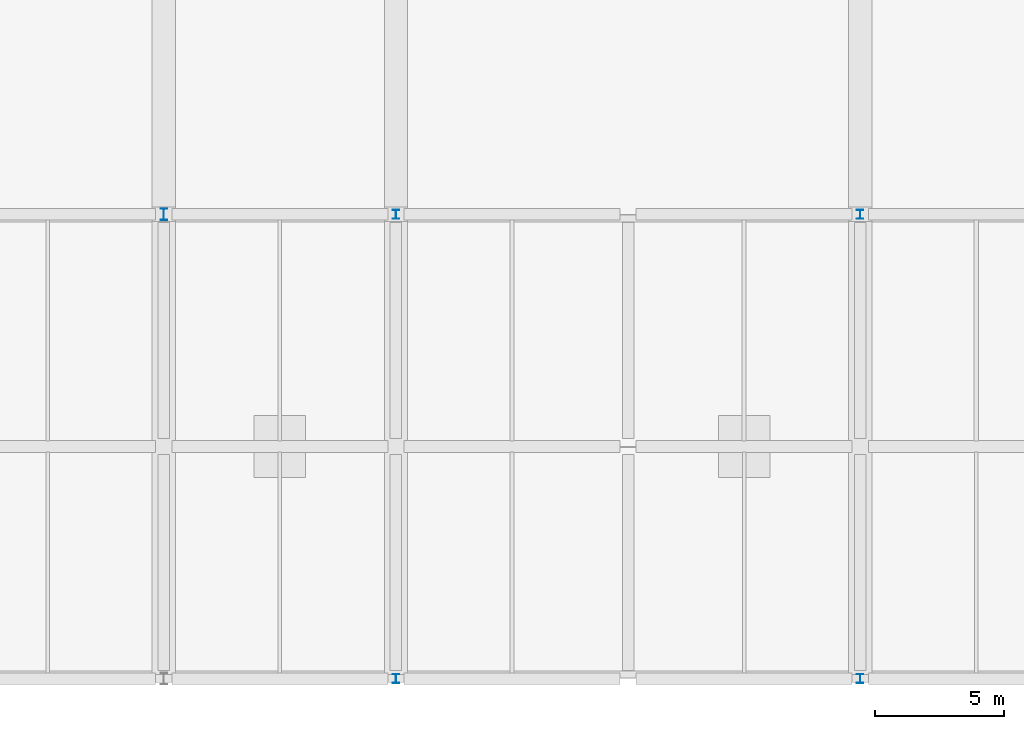
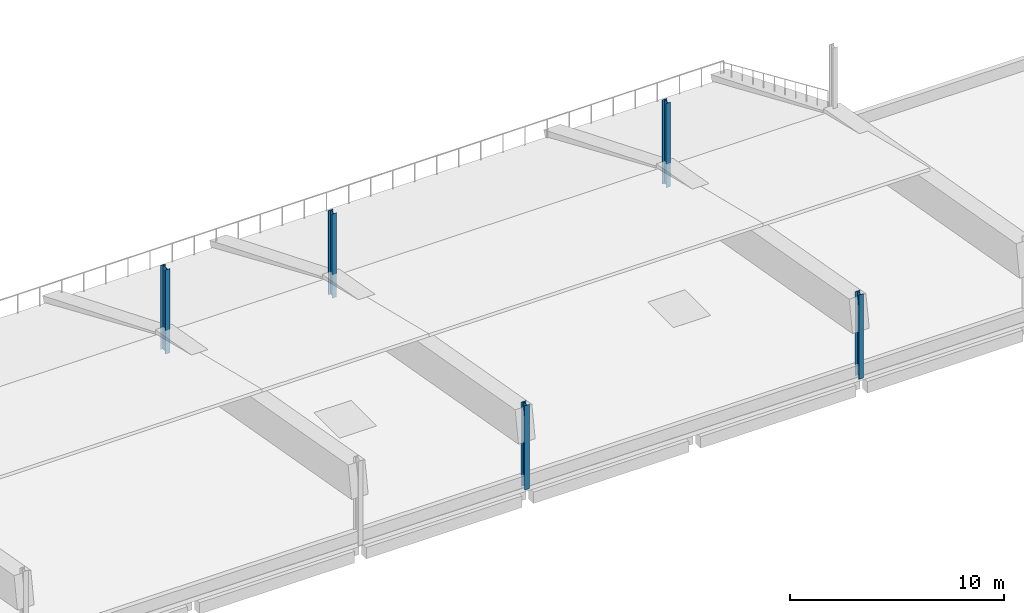
# One storey, part 5 of 66: 5 columns.
"""IFC4 building model written with IfcOpenShell, lengths in metres."""

import ifcopenshell
import ifcopenshell.guid

model = None  # the IFC model being written
_history = None  # IfcOwnerHistory: only IFC2X3 demands one
_inside = {}  # id of a spatial element -> (the spatial element, [elements in it])
_under = {}  # id of a project, library or spatial element -> (it, [spatial elements below it])
_declared = {}  # id of a project -> (the project, [libraries it declares])
_typed = {}  # id of a type object -> (the type object, [elements of that type])
_made_of = {}  # id of a material, layer set ... -> (it, [elements and type objects made of it])


def new_model(schema):
    """Start an empty IFC model of exactly this schema.

    Asked for "IFC4X3", IfcOpenShell would pick the latest addendum, in which some entities
    have other attributes; the version numbers below select the first issue.
    IFC2X3 requires an IfcOwnerHistory on every rooted entity: one is made here for all.
    """
    global model, _history
    if schema == "IFC4X3":
        model = ifcopenshell.file(schema_version=(4, 3, 0, 0))
    else:
        model = ifcopenshell.file(schema=schema)
    _inside.clear()
    _under.clear()
    _declared.clear()
    _typed.clear()
    _made_of.clear()
    _history = None
    if model.schema == "IFC2X3":
        org = make("IfcOrganization", Name="unknown")
        user = make(
            "IfcPersonAndOrganization",
            ThePerson=make("IfcPerson", FamilyName="unknown"),
            TheOrganization=org,
        )
        app = make(
            "IfcApplication",
            ApplicationDeveloper=org,
            Version="unknown",
            ApplicationFullName="unknown",
            ApplicationIdentifier="unknown",
        )
        _history = make(
            "IfcOwnerHistory",
            OwningUser=user,
            OwningApplication=app,
            ChangeAction="ADDED",
            CreationDate=0,
        )
    return model


def make(cls, **values):
    """One entity of the class cls with the attributes given. An attribute that is None is left unset."""
    return model.create_entity(
        cls, **{name: value for name, value in values.items() if value is not None}
    )


def rooted(cls, **values):
    """An entity with a GlobalId (a new one), such as an element, a storey or a relation."""
    return make(cls, GlobalId=ifcopenshell.guid.new(), OwnerHistory=_history, **values)


def si_unit(unit_type, name, prefix=None):
    """IfcSIUnit, for example si_unit("LENGTHUNIT", "METRE", prefix="MILLI")."""
    return make("IfcSIUnit", UnitType=unit_type, Prefix=prefix, Name=name)


def assignment(units):
    """IfcUnitAssignment: the units of a project."""
    return None if units is None else make("IfcUnitAssignment", Units=units)


def point(xyz):
    """IfcCartesianPoint."""
    return None if xyz is None else make("IfcCartesianPoint", Coordinates=xyz)


def direction(xyz):
    """IfcDirection."""
    return None if xyz is None else make("IfcDirection", DirectionRatios=xyz)


def frame(location, z_axis=None, x_axis=None):
    """IfcAxis2Placement3D, a coordinate frame: its origin and axes. An axis left out is left unset."""
    return make(
        "IfcAxis2Placement3D",
        Location=point(location),
        Axis=direction(z_axis),
        RefDirection=direction(x_axis),
    )


def frame_2d(location, x_axis=None):
    """IfcAxis2Placement2D, a coordinate frame in the plane: its origin and x axis."""
    return make(
        "IfcAxis2Placement2D", Location=point(location), RefDirection=direction(x_axis)
    )


def origin():
    """The frame at (0, 0, 0) with its axes left unset."""
    return frame((0.0, 0.0, 0.0))


def origin_2d():
    """The frame at (0, 0) in the plane with its x axis left unset."""
    return frame_2d((0.0, 0.0))


def place(relative_to, where):
    """IfcLocalPlacement: puts the frame where relative to a parent placement (None: the world)."""
    return make(
        "IfcLocalPlacement", PlacementRelTo=relative_to, RelativePlacement=where
    )


def context(
    kind, dimensions, precision=None, world=None, true_north=None, identifier=None
):
    """IfcGeometricRepresentationContext, for example the 3D "Model" context."""
    return make(
        "IfcGeometricRepresentationContext",
        ContextIdentifier=identifier,
        ContextType=kind,
        CoordinateSpaceDimension=dimensions,
        Precision=precision,
        WorldCoordinateSystem=world,
        TrueNorth=true_north,
    )


def subcontext(parent, identifier, kind, view, scale=None):
    """IfcGeometricRepresentationSubContext, for example "Body" below "Model"."""
    return make(
        "IfcGeometricRepresentationSubContext",
        ContextIdentifier=identifier,
        ContextType=kind,
        ParentContext=parent,
        TargetScale=scale,
        TargetView=view,
    )


def project(units=None, contexts=None):
    """IfcProject with its units and contexts."""
    return rooted(
        "IfcProject",
        Name="project",
        RepresentationContexts=contexts,
        UnitsInContext=assignment(units),
    )


def spatial(cls, under=None, at=None, **own):
    """A site, building, storey or space (cls), placed at a placement, below another one or the project."""
    s = rooted(cls, ObjectPlacement=at, **own)
    if under is not None:
        _under.setdefault(under.id(), (under, []))[1].append(s)
    return s


def profile(cls, at=None, kind="AREA", **sizes):
    """A parametric profile (cls). Its sizes go by their IFC names, for example OverallWidth=200.0."""
    return make(cls, ProfileType=kind, Position=at, **sizes)


def i_section(**sizes):
    """IfcIShapeProfileDef."""
    return profile("IfcIShapeProfileDef", **sizes)


def extrude(swept, where, along, depth):
    """IfcExtrudedAreaSolid: the profile swept, set in the frame where, extruded along a direction by depth."""
    return make(
        "IfcExtrudedAreaSolid",
        SweptArea=swept,
        Position=where,
        ExtrudedDirection=direction(along),
        Depth=depth,
    )


def shape(context_of_items, identifier, shape_type, items):
    """IfcShapeRepresentation: the items that make up one representation, for example the "Body"."""
    return make(
        "IfcShapeRepresentation",
        ContextOfItems=context_of_items,
        RepresentationIdentifier=identifier,
        RepresentationType=shape_type,
        Items=items,
    )


def material(Name=None, Category=None):
    """IfcMaterial."""
    return make("IfcMaterial", Name=Name, Category=Category)


def material_profile(
    of_material, cross_section, Name=None, Category=None, Priority=None
):
    """IfcMaterialProfile: a cross section and its material."""
    return make(
        "IfcMaterialProfile",
        Name=Name,
        Material=of_material,
        Profile=cross_section,
        Priority=Priority,
        Category=Category,
    )


def profile_set(profiles, Name=None, composite=None):
    """IfcMaterialProfileSet."""
    return make(
        "IfcMaterialProfileSet",
        Name=Name,
        MaterialProfiles=profiles,
        CompositeProfile=composite,
    )


def made_of(thing, what):
    """Note that an element or type object is made of a material, layer set ...; save() writes the relation."""
    if what is not None:
        _made_of.setdefault(what.id(), (what, []))[1].append(thing)
    return thing


def type_object(cls, material=None, **own):
    """A type object (cls), such as IfcWallType, which elements share."""
    return made_of(rooted(cls, **own), material)


def element(
    cls,
    number,
    at=None,
    inside=None,
    cuts=None,
    type_object=None,
    material=None,
    context=None,
    identifier="Body",
    shape_type=None,
    held_by="IfcProductDefinitionShape",
    body=None,
    shapes=None,
    **own,
):
    """One element of the class cls, such as IfcWall. Its Tag is "e" and its number.

    at: its placement. inside: the storey or other place that contains it. cuts: it is an
    opening in that element (IfcRelVoidsElement). A single representation is given by context,
    identifier, shape_type and body (its items); several are given by shapes. held_by: the class
    of the entity that holds the representations. save() writes the other relations.
    """
    e = rooted(cls, Tag="e%d" % number, ObjectPlacement=at, **own)
    if body is not None:
        shapes = [shape(context, identifier, shape_type, body)]
    if shapes is not None:
        e.Representation = make(held_by, Representations=shapes)
    if inside is not None:
        _inside.setdefault(inside.id(), (inside, []))[1].append(e)
    if cuts is not None:
        rooted(
            "IfcRelVoidsElement", RelatingBuildingElement=cuts, RelatedOpeningElement=e
        )
    if type_object is not None:
        _typed.setdefault(type_object.id(), (type_object, []))[1].append(e)
    return made_of(e, material)


def aggregate(whole, parts):
    """IfcRelAggregates: a whole, such as a stair, and the parts it consists of."""
    return rooted("IfcRelAggregates", RelatingObject=whole, RelatedObjects=parts)


def save(model, path):
    """Write the relations noted so far, then the file.

    IfcRelAggregates (storeys below a building ...), IfcRelContainedInSpatialStructure (elements
    in a storey), IfcRelDefinesByType, IfcRelAssociatesMaterial and IfcRelDeclares: one each for
    every whole, place, type object, material and project.
    """
    for whole, parts in _under.values():
        aggregate(whole, parts)
    for where, things in _inside.values():
        rooted(
            "IfcRelContainedInSpatialStructure",
            RelatedElements=things,
            RelatingStructure=where,
        )
    for kind, things in _typed.values():
        rooted("IfcRelDefinesByType", RelatedObjects=things, RelatingType=kind)
    for what, things in _made_of.values():
        rooted("IfcRelAssociatesMaterial", RelatedObjects=things, RelatingMaterial=what)
    for by, libraries in _declared.values():
        rooted("IfcRelDeclares", RelatingContext=by, RelatedDefinitions=libraries)
    model.write(path)


model = new_model("IFC4")

# Units and contexts
model_context = context("Model", 3, precision=1e-05, world=origin(), true_north=direction((0.0, 1.0)))
body_context = subcontext(model_context, "Body", "Model", "MODEL_VIEW")
ifc_project = project(units=[si_unit("LENGTHUNIT", "METRE"), si_unit("AREAUNIT", "SQUARE_METRE"), si_unit("VOLUMEUNIT", "CUBIC_METRE"), si_unit("PLANEANGLEUNIT", "RADIAN"), si_unit("MASSUNIT", "GRAM", prefix="KILO"), si_unit("THERMODYNAMICTEMPERATUREUNIT", "KELVIN"), si_unit("POWERUNIT", "WATT")], contexts=[model_context])

# Site, building, storey
site_placement = place(None, origin())
site = spatial("IfcSite", under=ifc_project, at=site_placement, CompositionType="ELEMENT")
building_placement = place(site_placement, origin())
building = spatial("IfcBuilding", under=site, at=building_placement, Name="Sindhuravela Promenade Stadium", CompositionType="ELEMENT")
storey_placement = place(building_placement, frame((0.0, 0.0, 19.199951171875)))
storey = spatial("IfcBuildingStorey", under=building, at=storey_placement, Name="L04", CompositionType="ELEMENT", Elevation=19.199951171875)

# Columns
ifc_material = material(Name="Steel E350 (IS 2062 E350BR)", Category="steel")
ifc_material_profile_1 = material_profile(ifc_material, i_section(OverallWidth=0.25, OverallDepth=0.35009765625, WebThickness=0.010009765625, FlangeThickness=0.01171875, FilletRadius=0.011962890625, at=origin_2d()), Name="ISHB 350")
ifc_profile_set_1 = profile_set([ifc_material_profile_1], Name="Steel E350 (IS 2062 E350BR)")
column_type_1 = type_object("IfcColumnType", Name="ST-CL-HB350", PredefinedType="COLUMN", material=ifc_profile_set_1)
for number, where, z_axis, x_axis, name in (
    (1, (108.0, 9.0, 0.0), (0.0, 0.0, 1.0), (1.0, 0.0, 0.0), "Column SC02 SOUTH L04"),
    (2, (108.0, 27.0, 0.0), (0.0, 0.0, 1.0), (1.0, 0.0, 0.0), "Column SC02 SOUTH L04"),
    (3, (126.0, 9.0, 0.0), (0.0, 0.0, 1.0), (1.0, 0.0, 0.0), "Column SC02 SOUTH L04"),
    (4, (126.0, 27.0, 0.0), (0.0, 0.0, 1.0), (1.0, 0.0, 0.0), "Column SC02 SOUTH L04"),
):
    element("IfcColumn", number, at=place(storey_placement, frame(where, z_axis=z_axis, x_axis=x_axis)), inside=storey, type_object=column_type_1, Name=name, PredefinedType="COLUMN", context=body_context, shape_type="SweptSolid", body=[
        extrude(i_section(OverallWidth=0.25, OverallDepth=0.35009765625, WebThickness=0.010009765625, FlangeThickness=0.01171875, FilletRadius=0.011962890625, at=origin_2d()), origin(), (0.0, 0.0, 1.0), 4.800048828125),
    ])
ifc_material_profile_2 = material_profile(ifc_material, i_section(OverallWidth=0.25, OverallDepth=0.449951171875, WebThickness=0.01123046875, FlangeThickness=0.013671875, FilletRadius=0.014892578125, at=origin_2d()), Name="ISHB 450")
ifc_profile_set_2 = profile_set([ifc_material_profile_2], Name="Steel E350 (IS 2062 E350BR)")
column_type_2 = type_object("IfcColumnType", Name="ST-CL-HB450", PredefinedType="COLUMN", material=ifc_profile_set_2)
column_placement = place(storey_placement, frame((99.0, 27.0, 0.0), z_axis=(0.0, 0.0, 1.0), x_axis=(1.0, 0.0, 0.0)))
element("IfcColumn", 5, at=column_placement, inside=storey, type_object=column_type_2, Name="Column SC03 SOUTH L04", PredefinedType="COLUMN", context=body_context, shape_type="SweptSolid", body=[
    extrude(i_section(OverallWidth=0.25, OverallDepth=0.449951171875, WebThickness=0.01123046875, FlangeThickness=0.013671875, FilletRadius=0.014892578125, at=origin_2d()), origin(), (0.0, 0.0, 1.0), 4.800048828125),
])

save(model, "model.ifc")
